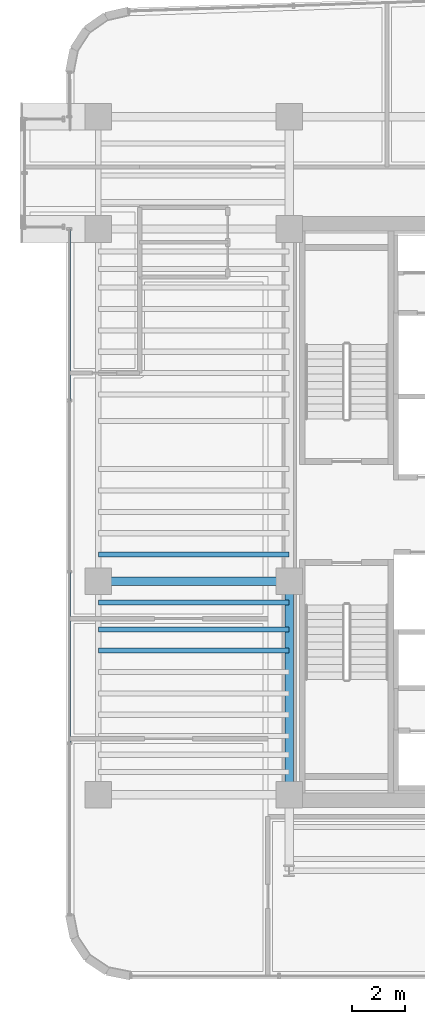
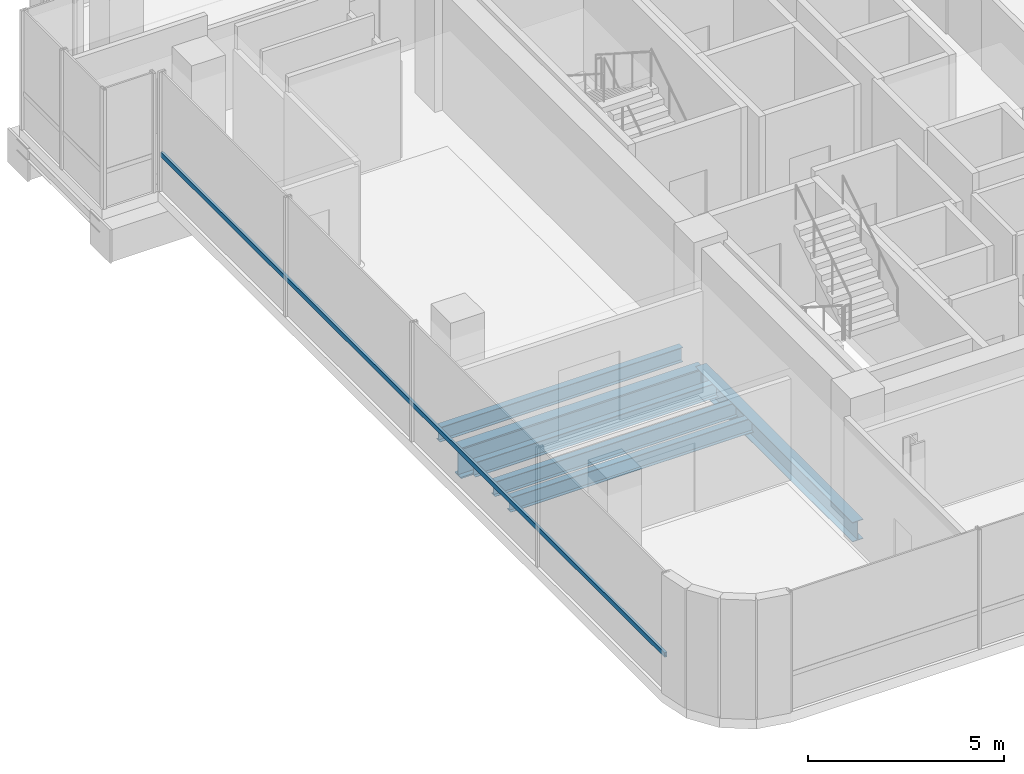
# One storey, part 5 of 35: 6 beams, 1 member, 1 element without a shape of its own.
"""IFC4 building model written with IfcOpenShell, lengths in metres."""

from ifc_helpers import new_model, si_unit, direction, frame, origin, origin_2d, place, context, subcontext, project, spatial, hollow_rectangle, i_section, extrude, source, transform, mapped, material, material_profile, profile_set, type_object, element, aggregate, save


model = new_model("IFC4")

# Units and contexts
model_context = context("Model", 3, precision=1e-05, world=origin(), true_north=direction((0.0, 1.0)))
body_context = subcontext(model_context, "Body", "Model", "MODEL_VIEW")
ifc_project = project(units=[si_unit("LENGTHUNIT", "METRE"), si_unit("AREAUNIT", "SQUARE_METRE"), si_unit("VOLUMEUNIT", "CUBIC_METRE"), si_unit("PLANEANGLEUNIT", "RADIAN"), si_unit("MASSUNIT", "GRAM", prefix="KILO")], contexts=[model_context])

# Site, building, storey
site_placement = place(None, origin())
site = spatial("IfcSite", under=ifc_project, at=site_placement, CompositionType="ELEMENT")
building_placement = place(site_placement, origin())
building = spatial("IfcBuilding", under=site, at=building_placement, Name="Valdorenza Pilgrim Sanctuary Tower", CompositionType="ELEMENT")
storey_placement = place(building_placement, frame((0.0, 0.0, 192.35009765625)))
storey = spatial("IfcBuildingStorey", under=building, at=storey_placement, Name="L49", CompositionType="ELEMENT", Elevation=192.35009765625)

# Beams
ifc_material_1 = material(Name="Steel ASTM A992 Grade 50", Category="steel")
ifc_material_profile_1 = material_profile(ifc_material_1, i_section(OverallWidth=0.323974609375, OverallDepth=0.611083984375, WebThickness=0.0126953125, FlangeThickness=0.01904296875, at=origin_2d()), Name="W24X104")
ifc_profile_set_1 = profile_set([ifc_material_profile_1], Name="Steel ASTM A992 Grade 50")
beam_type_1 = type_object("IfcBeamType", Name="STR-BM-GRD-W24B", PredefinedType="BEAM", material=ifc_profile_set_1)
shared_shape_1 = source(origin(), body_context, "Body", "SweptSolid", [
    extrude(i_section(OverallWidth=0.323974609375, OverallDepth=0.611083984375, WebThickness=0.0126953125, FlangeThickness=0.01904296875, at=origin_2d()), origin(), (0.0, 0.0, 1.0), 8.0),
])
beam_1_placement = place(storey_placement, frame((-22.64990234375, -10.60009765625, -0.62548828125), z_axis=(0.0, 1.0, 0.0), x_axis=(-1.0, 0.0, 0.0)))
element("IfcBeam", 1, at=beam_1_placement, inside=storey, type_object=beam_type_1, Name="L49 Core Tie Girder CA-W-S1M0", PredefinedType="BEAM", context=body_context, shape_type="MappedRepresentation", body=[
    mapped(shared_shape_1, transform((0.0, 0.0, 0.0), x_axis=(1.0, 0.0, 0.0), y_axis=(0.0, 1.0, 0.0), z_axis=(0.0, 0.0, 1.0), scale=1.0)),
])
ifc_material_profile_2 = material_profile(ifc_material_1, i_section(OverallWidth=0.19091796875, OverallDepth=0.45703125, WebThickness=0.009033203125, FlangeThickness=0.014404296875, at=origin_2d()), Name="W18X50")
ifc_profile_set_2 = profile_set([ifc_material_profile_2], Name="Steel ASTM A992 Grade 50")
beam_type_2 = type_object("IfcBeamType", Name="STR-BM-JST-W18B", PredefinedType="JOIST", material=ifc_profile_set_2)
shared_shape_2 = source(origin(), body_context, "Body", "SweptSolid", [
    extrude(i_section(OverallWidth=0.19091796875, OverallDepth=0.45703125, WebThickness=0.009033203125, FlangeThickness=0.014404296875, at=origin_2d()), origin(), (0.0, 0.0, 1.0), 7.150146484375),
])
for number, where, z_axis, x_axis, name in (
    (2, (-29.800048828125, -5.199951171875, -0.548583984375), (1.0, 0.0, 0.0), (0.0, 1.0, 0.0), "L49 Composite Floor Joist JST-WA-7"),
    (3, (-29.800048828125, -4.39990234375, -0.548583984375), (1.0, 0.0, 0.0), (0.0, 1.0, 0.0), "L49 Composite Floor Joist JST-WA-8"),
    (4, (-29.800048828125, -3.39990234375, -0.548583984375), (1.0, 0.0, 0.0), (0.0, 1.0, 0.0), "L49 Composite Floor Joist JST-WA-9"),
    (5, (-29.800048828125, -1.60009765625, -0.548583984375), (1.0, 0.0, 0.0), (0.0, 1.0, 0.0), "L49 Composite Floor Joist JST-WA-10"),
):
    element("IfcBeam", number, at=place(storey_placement, frame(where, z_axis=z_axis, x_axis=x_axis)), inside=storey, type_object=beam_type_2, Name=name, PredefinedType="JOIST", context=body_context, shape_type="MappedRepresentation", body=[
        mapped(shared_shape_2, transform((0.0, 0.0, 0.0), x_axis=(1.0, 0.0, 0.0), y_axis=(0.0, 1.0, 0.0), z_axis=(0.0, 0.0, 1.0), scale=1.0)),
    ])
ifc_material_profile_3 = material_profile(ifc_material_1, i_section(OverallWidth=0.31005859375, OverallDepth=0.949951171875, WebThickness=0.0244140625, FlangeThickness=0.0439453125, at=origin_2d()), Name="W36X256")
ifc_profile_set_3 = profile_set([ifc_material_profile_3], Name="Steel ASTM A992 Grade 50")
beam_type_3 = type_object("IfcBeamType", Name="STR-BM-GRD-W36B", PredefinedType="BEAM", material=ifc_profile_set_3)
shared_shape_3 = source(origin(), body_context, "Body", "SweptSolid", [
    extrude(i_section(OverallWidth=0.31005859375, OverallDepth=0.949951171875, WebThickness=0.0244140625, FlangeThickness=0.0439453125, at=origin_2d()), origin(), (0.0, 0.0, 1.0), 7.150146484375),
])
beam_2_placement = place(storey_placement, frame((-29.800048828125, -2.60009765625, -0.795166015625), z_axis=(1.0, 0.0, 0.0), x_axis=(0.0, 1.0, 0.0)))
element("IfcBeam", 6, at=beam_2_placement, inside=storey, type_object=beam_type_3, Name="L49 Floor Girder WA-XW-M0", PredefinedType="BEAM", context=body_context, shape_type="MappedRepresentation", body=[
    mapped(shared_shape_3, transform((0.0, 0.0, 0.0), x_axis=(1.0, 0.0, 0.0), y_axis=(0.0, 1.0, 0.0), z_axis=(0.0, 0.0, 1.0), scale=1.0)),
])

# Curtain wall, member
ifc_material_2 = material(Name="Curtain-wall IGU glazing", Category="glass")
curtain_wall_type = type_object("IfcCurtainWallType", Name="CW-SYS-02", PredefinedType="NOTDEFINED", material=ifc_material_2)
curtain_wall_placement = place(storey_placement, origin())
curtain_wall = element("IfcCurtainWall", 7, at=curtain_wall_placement, inside=storey, type_object=curtain_wall_type, Name="L49 Curtain Wall CW-L49-1-1S1", PredefinedType="NOTDEFINED")
ifc_material_3 = material(Name="Anodised aluminium AW-6060", Category="aluminium")
ifc_material_profile_4 = material_profile(ifc_material_3, hollow_rectangle(XDim=0.074951171875, YDim=0.14990234375, WallThickness=0.00390625, at=origin_2d()), Name="ALU-T 150x75x4")
ifc_profile_set_4 = profile_set([ifc_material_profile_4], Name="Anodised aluminium AW-6060")
member_type = type_object("IfcMemberType", Name="CW-TRN-02", PredefinedType="USERDEFINED", material=ifc_profile_set_4)
shared_shape_4 = source(origin(), body_context, "Body", "SweptSolid", [
    extrude(hollow_rectangle(XDim=0.074951171875, YDim=0.14990234375, WallThickness=0.00390625, at=origin_2d()), origin(), (0.0, 0.0, 1.0), 25.689208984375),
])
member_placement = place(storey_placement, frame((-30.889892578125, -15.089111328125, 1.119873046875), z_axis=(0.0, 1.0, 0.0), x_axis=(-1.0, 0.0, 0.0)))
member = element("IfcMember", 8, at=member_placement, type_object=member_type, Name="CW-L49-1-1S1 Transom 1", ObjectType="TRANSOM", PredefinedType="USERDEFINED", context=body_context, shape_type="MappedRepresentation", body=[
    mapped(shared_shape_4, transform((0.0, 0.0, 0.0), x_axis=(1.0, 0.0, 0.0), y_axis=(0.0, 1.0, 0.0), z_axis=(0.0, 0.0, 1.0), scale=1.0)),
])
aggregate(curtain_wall, [member])

save(model, "model.ifc")
